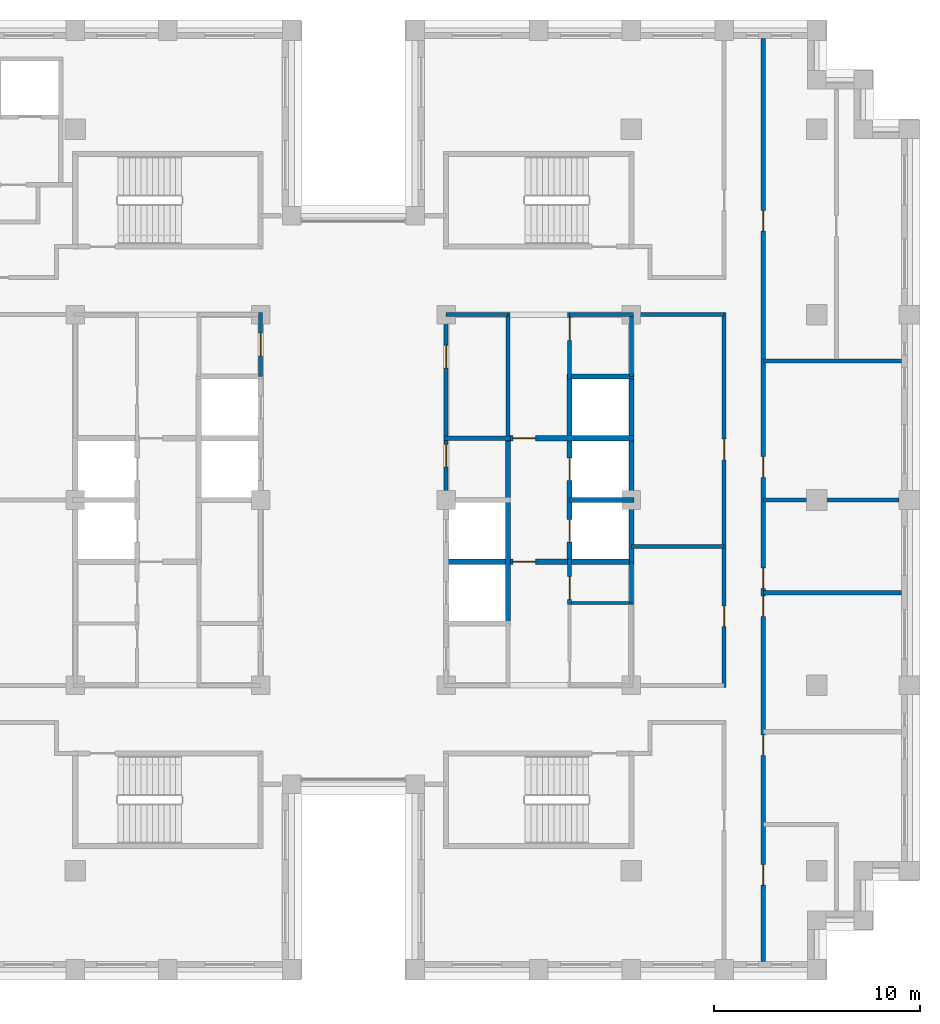
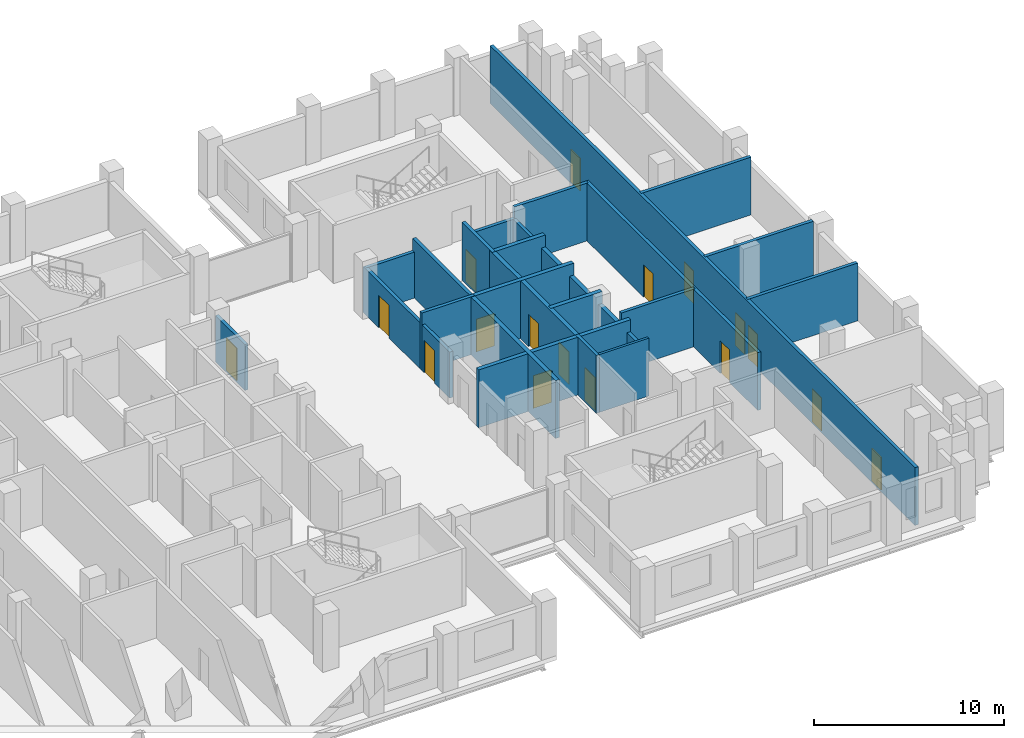
# One storey, part 9 of 15: 25 walls, 17 doors, 17 openings.
"""IFC4 building model written with IfcOpenShell, lengths in metres."""

from ifc_helpers import new_model, si_unit, direction, frame, frame_2d, origin, place, context, subcontext, project, spatial, rectangle, extrude, material, layer, layer_set, type_object, element, fill, save


model = new_model("IFC4")

# Units and contexts
model_context = context("Model", 3, precision=1e-05, world=origin(), true_north=direction((0.0, 1.0)))
body_context = subcontext(model_context, "Body", "Model", "MODEL_VIEW")
ifc_project = project(units=[si_unit("LENGTHUNIT", "METRE"), si_unit("AREAUNIT", "SQUARE_METRE"), si_unit("VOLUMEUNIT", "CUBIC_METRE"), si_unit("PLANEANGLEUNIT", "RADIAN"), si_unit("MASSUNIT", "GRAM", prefix="KILO")], contexts=[model_context])

# Site, building, storey
site_placement = place(None, origin())
site = spatial("IfcSite", under=ifc_project, at=site_placement, CompositionType="ELEMENT")
building_placement = place(site_placement, origin())
building = spatial("IfcBuilding", under=site, at=building_placement, Name="Corbelhall Arena Tower", CompositionType="ELEMENT")
storey_placement = place(building_placement, frame((0.0, 0.0, 204.0)))
storey = spatial("IfcBuildingStorey", under=building, at=storey_placement, Name="L42", CompositionType="ELEMENT", Elevation=204.0)

# Walls
ifc_material_1 = material(Name="Gypsum board on steel stud, acoustic", Category="steel")
ifc_layer_1 = layer(ifc_material_1, 0.199951171875)
ifc_layer_set_1 = layer_set([ifc_layer_1], Name="IN-W-DM200")
wall_type_1 = type_object("IfcWallType", Name="IN-W-DM200", PredefinedType="PARTITIONING", material=ifc_layer_set_1)
for number, where, z_axis, x_axis, name in (
    (1, (13.5, -2.25, 0.0), (0.0, 0.0, 1.0), (1.0, 0.0, 0.0), "Partition 038"),
    (2, (18.0, 9.0, 0.0), (0.0, 0.0, 1.0), (-1.0, 0.0, 0.0), "Partition 041"),
):
    element("IfcWall", number, at=place(storey_placement, frame(where, z_axis=z_axis, x_axis=x_axis)), inside=storey, type_object=wall_type_1, Name=name, PredefinedType="PARTITIONING", context=body_context, shape_type="SweptSolid", body=[
        extrude(rectangle(XDim=4.5, YDim=0.199951171875, at=frame_2d((2.25, 0.0))), origin(), (0.0, 0.0, 1.0), 3.719970703125),
    ])

# Wall, openings, doors
wall_1_placement = place(storey_placement, frame((18.0, -9.10009765625, 0.0), z_axis=(0.0, 0.0, 1.0), x_axis=(0.0, 1.0, 0.0)))
wall_1 = element("IfcWall", 3, at=wall_1_placement, inside=storey, type_object=wall_type_1, Name="Partition 046", PredefinedType="PARTITIONING", context=body_context, shape_type="SweptSolid", body=[
    extrude(rectangle(XDim=18.2001953125, YDim=0.199951171875, at=frame_2d((9.10009765625, 0.0))), origin(), (0.0, 0.0, 1.0), 3.719970703125),
])
opening_1_placement = place(wall_1_placement, frame((2.949951171875, 0.0, 0.0)))
opening_1 = element("IfcOpeningElement", 4, at=opening_1_placement, cuts=wall_1, Name="Opening 12025", PredefinedType="OPENING", context=body_context, shape_type="SweptSolid", body=[
    extrude(rectangle(XDim=1.0, YDim=2.10009765625, at=frame_2d((0.5, 1.050048828125))), frame((0.0, 0.10009765625, 0.0), z_axis=(0.0, -1.0, 0.0), x_axis=(1.0, 0.0, 0.0)), (0.0, 0.0, 1.0), 0.199951171875),
])
opening_2_placement = place(wall_1_placement, frame((11.050048828125, 0.0, 0.0)))
opening_2 = element("IfcOpeningElement", 5, at=opening_2_placement, cuts=wall_1, Name="Opening 12026", PredefinedType="OPENING", context=body_context, shape_type="SweptSolid", body=[
    extrude(rectangle(XDim=1.0, YDim=2.10009765625, at=frame_2d((0.5, 1.050048828125))), frame((0.0, 0.10009765625, 0.0), z_axis=(0.0, -1.0, 0.0), x_axis=(1.0, 0.0, 0.0)), (0.0, 0.0, 1.0), 0.199951171875),
])
ifc_material_2 = material(Name="Steel door set", Category="steel")
door_type_1 = type_object("IfcDoorType", Name="IN-D-SW100", OperationType="NOTDEFINED", PredefinedType="DOOR", material=ifc_material_2)
door_1_placement = place(opening_1_placement, origin())
door_1 = element("IfcDoor", 6, at=door_1_placement, inside=storey, type_object=door_type_1, Name="Door 025", OperationType="SINGLE_SWING_RIGHT", OverallHeight=2.10009765625, OverallWidth=1.0, PredefinedType="DOOR", context=body_context, shape_type="SweptSolid", body=[
    extrude(rectangle(XDim=1.0, YDim=2.10009765625, at=frame_2d((0.5, 1.050048828125))), frame((0.0, 0.02490234375, 0.0), z_axis=(0.0, -1.0, 0.0), x_axis=(1.0, 0.0, 0.0)), (0.0, 0.0, 1.0), 0.050048828125),
])
fill(opening_1, door_1)
door_2_placement = place(opening_2_placement, origin())
door_2 = element("IfcDoor", 7, at=door_2_placement, inside=storey, type_object=door_type_1, Name="Door 026", OperationType="SINGLE_SWING_LEFT", OverallHeight=2.10009765625, OverallWidth=1.0, PredefinedType="DOOR", context=body_context, shape_type="SweptSolid", body=[
    extrude(rectangle(XDim=1.0, YDim=2.10009765625, at=frame_2d((0.5, 1.050048828125))), frame((0.0, 0.02490234375, 0.0), z_axis=(0.0, -1.0, 0.0), x_axis=(1.0, 0.0, 0.0)), (0.0, 0.0, 1.0), 0.050048828125),
])
fill(opening_2, door_2)

wall_2_placement = place(storey_placement, frame((19.89990234375, 22.39990234375, 0.0), z_axis=(0.0, 0.0, 1.0), x_axis=(0.0, -1.0, 0.0)))
wall_2 = element("IfcWall", 8, at=wall_2_placement, inside=storey, type_object=wall_type_1, Name="Partition 049", PredefinedType="PARTITIONING", context=body_context, shape_type="SweptSolid", body=[
    extrude(rectangle(XDim=44.7998046875, YDim=0.199951171875, at=frame_2d((22.39990234375, 0.0))), origin(), (0.0, 0.0, 1.0), 3.719970703125),
])
opening_3_placement = place(wall_2_placement, frame((20.300048828125, 0.0, 0.0)))
opening_3 = element("IfcOpeningElement", 9, at=opening_3_placement, cuts=wall_2, Name="Opening 12036", PredefinedType="OPENING", context=body_context, shape_type="SweptSolid", body=[
    extrude(rectangle(XDim=1.0, YDim=2.10009765625, at=frame_2d((0.5, 1.050048828125))), frame((0.0, 0.10009765625, 0.0), z_axis=(0.0, -1.0, 0.0), x_axis=(1.0, 0.0, 0.0)), (0.0, 0.0, 1.0), 0.199951171875),
])
opening_4_placement = place(wall_2_placement, frame((8.35009765625, 0.0, 0.0)))
opening_4 = element("IfcOpeningElement", 10, at=opening_4_placement, cuts=wall_2, Name="Opening 12037", PredefinedType="OPENING", context=body_context, shape_type="SweptSolid", body=[
    extrude(rectangle(XDim=1.0, YDim=2.10009765625, at=frame_2d((0.5, 1.050048828125))), frame((0.0, 0.10009765625, 0.0), z_axis=(0.0, -1.0, 0.0), x_axis=(1.0, 0.0, 0.0)), (0.0, 0.0, 1.0), 0.199951171875),
])
opening_5_placement = place(wall_2_placement, frame((40.10009765625, 0.0, 0.0)))
opening_5 = element("IfcOpeningElement", 11, at=opening_5_placement, cuts=wall_2, Name="Opening 12039", PredefinedType="OPENING", context=body_context, shape_type="SweptSolid", body=[
    extrude(rectangle(XDim=1.0, YDim=2.10009765625, at=frame_2d((0.5, 1.050048828125))), frame((0.0, 0.10009765625, 0.0), z_axis=(0.0, -1.0, 0.0), x_axis=(1.0, 0.0, 0.0)), (0.0, 0.0, 1.0), 0.199951171875),
])
opening_6_placement = place(wall_2_placement, frame((33.800048828125, 0.0, 0.0)))
opening_6 = element("IfcOpeningElement", 12, at=opening_6_placement, cuts=wall_2, Name="Opening 12040", PredefinedType="OPENING", context=body_context, shape_type="SweptSolid", body=[
    extrude(rectangle(XDim=1.0, YDim=2.10009765625, at=frame_2d((0.5, 1.050048828125))), frame((0.0, 0.10009765625, 0.0), z_axis=(0.0, -1.0, 0.0), x_axis=(1.0, 0.0, 0.0)), (0.0, 0.0, 1.0), 0.199951171875),
])
opening_7_placement = place(wall_2_placement, frame((27.050048828125, 0.0, 0.0)))
opening_7 = element("IfcOpeningElement", 13, at=opening_7_placement, cuts=wall_2, Name="Opening 12041", PredefinedType="OPENING", context=body_context, shape_type="SweptSolid", body=[
    extrude(rectangle(XDim=1.0, YDim=2.10009765625, at=frame_2d((0.5, 1.050048828125))), frame((0.0, 0.10009765625, 0.0), z_axis=(0.0, -1.0, 0.0), x_axis=(1.0, 0.0, 0.0)), (0.0, 0.0, 1.0), 0.199951171875),
])
opening_8_placement = place(wall_2_placement, frame((25.699951171875, 0.0, 0.0)))
opening_8 = element("IfcOpeningElement", 14, at=opening_8_placement, cuts=wall_2, Name="Opening 12042", PredefinedType="OPENING", context=body_context, shape_type="SweptSolid", body=[
    extrude(rectangle(XDim=1.0, YDim=2.10009765625, at=frame_2d((0.5, 1.050048828125))), frame((0.0, 0.10009765625, 0.0), z_axis=(0.0, -1.0, 0.0), x_axis=(1.0, 0.0, 0.0)), (0.0, 0.0, 1.0), 0.199951171875),
])
door_3_placement = place(opening_3_placement, origin())
door_3 = element("IfcDoor", 15, at=door_3_placement, inside=storey, type_object=door_type_1, Name="Door 036", OperationType="SINGLE_SWING_LEFT", OverallHeight=2.10009765625, OverallWidth=1.0, PredefinedType="DOOR", context=body_context, shape_type="SweptSolid", body=[
    extrude(rectangle(XDim=1.0, YDim=2.10009765625, at=frame_2d((0.5, 1.050048828125))), frame((0.0, 0.02490234375, 0.0), z_axis=(0.0, -1.0, 0.0), x_axis=(1.0, 0.0, 0.0)), (0.0, 0.0, 1.0), 0.050048828125),
])
fill(opening_3, door_3)
door_4_placement = place(opening_4_placement, origin())
door_4 = element("IfcDoor", 16, at=door_4_placement, inside=storey, type_object=door_type_1, Name="Door 037", OperationType="SINGLE_SWING_RIGHT", OverallHeight=2.10009765625, OverallWidth=1.0, PredefinedType="DOOR", context=body_context, shape_type="SweptSolid", body=[
    extrude(rectangle(XDim=1.0, YDim=2.10009765625, at=frame_2d((0.5, 1.050048828125))), frame((0.0, 0.02490234375, 0.0), z_axis=(0.0, -1.0, 0.0), x_axis=(1.0, 0.0, 0.0)), (0.0, 0.0, 1.0), 0.050048828125),
])
fill(opening_4, door_4)
door_5_placement = place(opening_5_placement, origin())
door_5 = element("IfcDoor", 17, at=door_5_placement, inside=storey, type_object=door_type_1, Name="Door 039", OperationType="SINGLE_SWING_RIGHT", OverallHeight=2.10009765625, OverallWidth=1.0, PredefinedType="DOOR", context=body_context, shape_type="SweptSolid", body=[
    extrude(rectangle(XDim=1.0, YDim=2.10009765625, at=frame_2d((0.5, 1.050048828125))), frame((0.0, 0.02490234375, 0.0), z_axis=(0.0, -1.0, 0.0), x_axis=(1.0, 0.0, 0.0)), (0.0, 0.0, 1.0), 0.050048828125),
])
fill(opening_5, door_5)
door_6_placement = place(opening_6_placement, origin())
door_6 = element("IfcDoor", 18, at=door_6_placement, inside=storey, type_object=door_type_1, Name="Door 040", OperationType="SINGLE_SWING_LEFT", OverallHeight=2.10009765625, OverallWidth=1.0, PredefinedType="DOOR", context=body_context, shape_type="SweptSolid", body=[
    extrude(rectangle(XDim=1.0, YDim=2.10009765625, at=frame_2d((0.5, 1.050048828125))), frame((0.0, 0.02490234375, 0.0), z_axis=(0.0, -1.0, 0.0), x_axis=(1.0, 0.0, 0.0)), (0.0, 0.0, 1.0), 0.050048828125),
])
fill(opening_6, door_6)
door_7_placement = place(opening_7_placement, origin())
door_7 = element("IfcDoor", 19, at=door_7_placement, inside=storey, type_object=door_type_1, Name="Door 041", OperationType="SINGLE_SWING_RIGHT", OverallHeight=2.10009765625, OverallWidth=1.0, PredefinedType="DOOR", context=body_context, shape_type="SweptSolid", body=[
    extrude(rectangle(XDim=1.0, YDim=2.10009765625, at=frame_2d((0.5, 1.050048828125))), frame((0.0, 0.02490234375, 0.0), z_axis=(0.0, -1.0, 0.0), x_axis=(1.0, 0.0, 0.0)), (0.0, 0.0, 1.0), 0.050048828125),
])
fill(opening_7, door_7)
door_8_placement = place(opening_8_placement, origin())
door_8 = element("IfcDoor", 20, at=door_8_placement, inside=storey, type_object=door_type_1, Name="Door 042", OperationType="SINGLE_SWING_LEFT", OverallHeight=2.10009765625, OverallWidth=1.0, PredefinedType="DOOR", context=body_context, shape_type="SweptSolid", body=[
    extrude(rectangle(XDim=1.0, YDim=2.10009765625, at=frame_2d((0.5, 1.050048828125))), frame((0.0, 0.02490234375, 0.0), z_axis=(0.0, -1.0, 0.0), x_axis=(1.0, 0.0, 0.0)), (0.0, 0.0, 1.0), 0.050048828125),
])
fill(opening_8, door_8)

# Walls
for number, where, z_axis, x_axis, name in (
    (21, (19.89990234375, -4.5, 0.0), (0.0, 0.0, 1.0), (1.0, 0.0, 0.0), "Partition 051"),
    (22, (19.89990234375, 6.75, 0.0), (0.0, 0.0, 1.0), (1.0, 0.0, 0.0), "Partition 052"),
):
    element("IfcWall", number, at=place(storey_placement, frame(where, z_axis=z_axis, x_axis=x_axis)), inside=storey, type_object=wall_type_1, Name=name, PredefinedType="PARTITIONING", context=body_context, shape_type="SweptSolid", body=[
        extrude(rectangle(XDim=6.7001953125, YDim=0.199951171875, at=frame_2d((3.35009765625, 0.0))), origin(), (0.0, 0.0, 1.0), 3.719970703125),
    ])
wall_3_placement = place(storey_placement, frame((26.5, 0.0, 0.0), z_axis=(0.0, 0.0, 1.0), x_axis=(-1.0, 0.0, 0.0)))
element("IfcWall", 23, at=wall_3_placement, inside=storey, type_object=wall_type_1, Name="Partition 054", PredefinedType="PARTITIONING", context=body_context, shape_type="SweptSolid", body=[
    extrude(rectangle(XDim=6.60009765625, YDim=0.199951171875, at=frame_2d((3.300048828125, 0.0))), origin(), (0.0, 0.0, 1.0), 3.719970703125),
])
ifc_material_3 = material(Name="Concrete block wall", Category="concrete")
ifc_layer_2 = layer(ifc_material_3, 0.199951171875)
ifc_layer_set_2 = layer_set([ifc_layer_2], Name="IN-W-RS200")
wall_type_2 = type_object("IfcWallType", Name="IN-W-RS200", PredefinedType="SOLIDWALL", material=ifc_layer_set_2)
wall_4_placement = place(storey_placement, frame((4.39990234375, 3.0, 0.0), z_axis=(0.0, 0.0, 1.0), x_axis=(1.0, 0.0, 0.0)))
element("IfcWall", 24, at=wall_4_placement, inside=storey, type_object=wall_type_2, Name="Partition 065", PredefinedType="SOLIDWALL", context=body_context, shape_type="SweptSolid", body=[
    extrude(rectangle(XDim=3.22509765625, YDim=0.199951171875, at=frame_2d((1.612548828125, 0.0))), origin(), (0.0, 0.0, 1.0), 3.719970703125),
])
wall_5_placement = place(storey_placement, frame((7.5, 9.10009765625, 0.0), z_axis=(0.0, 0.0, 1.0), x_axis=(0.0, -1.0, 0.0)))
element("IfcWall", 25, at=wall_5_placement, inside=storey, type_object=wall_type_2, Name="Partition 071", PredefinedType="SOLIDWALL", context=body_context, shape_type="SweptSolid", body=[
    extrude(rectangle(XDim=6.22509765625, YDim=0.199951171875, at=frame_2d((3.112548828125, 0.0))), origin(), (0.0, 0.0, 1.0), 3.719970703125),
])

# Wall, opening, door
wall_6_placement = place(storey_placement, frame((10.5, -2.875, 0.0), z_axis=(0.0, 0.0, 1.0), x_axis=(0.0, -1.0, 0.0)))
wall_6 = element("IfcWall", 26, at=wall_6_placement, inside=storey, type_object=wall_type_2, Name="Partition 072", PredefinedType="SOLIDWALL", context=body_context, shape_type="SweptSolid", body=[
    extrude(rectangle(XDim=2.199951171875, YDim=0.199951171875, at=frame_2d((1.10009765625, 0.0))), origin(), (0.0, 0.0, 1.0), 3.719970703125),
])
opening_9_placement = place(wall_6_placement, frame((0.85009765625, 0.0, 0.0)))
opening_9 = element("IfcOpeningElement", 27, at=opening_9_placement, cuts=wall_6, Name="Opening 12015", PredefinedType="OPENING", context=body_context, shape_type="SweptSolid", body=[
    extrude(rectangle(XDim=1.10009765625, YDim=2.10009765625, at=frame_2d((0.550048828125, 1.050048828125))), frame((0.0, 0.10009765625, 0.0), z_axis=(0.0, -1.0, 0.0), x_axis=(1.0, 0.0, 0.0)), (0.0, 0.0, 1.0), 0.199951171875),
])
door_type_2 = type_object("IfcDoorType", Name="IN-D-FD110", OperationType="NOTDEFINED", PredefinedType="DOOR", material=ifc_material_2)
door_9_placement = place(opening_9_placement, origin())
door_9 = element("IfcDoor", 28, at=door_9_placement, inside=storey, type_object=door_type_2, Name="Door 015", OperationType="SINGLE_SWING_RIGHT", OverallHeight=2.10009765625, OverallWidth=1.10009765625, PredefinedType="DOOR", context=body_context, shape_type="SweptSolid", body=[
    extrude(rectangle(XDim=1.10009765625, YDim=2.10009765625, at=frame_2d((0.550048828125, 1.050048828125))), frame((0.0, 0.02490234375, 0.0), z_axis=(0.0, -1.0, 0.0), x_axis=(1.0, 0.0, 0.0)), (0.0, 0.0, 1.0), 0.050048828125),
])
fill(opening_9, door_9)

wall_7_placement = place(storey_placement, frame((10.5, 9.10009765625, 0.0), z_axis=(0.0, 0.0, 1.0), x_axis=(0.0, -1.0, 0.0)))
wall_7 = element("IfcWall", 29, at=wall_7_placement, inside=storey, type_object=wall_type_2, Name="Partition 074", PredefinedType="SOLIDWALL", context=body_context, shape_type="SweptSolid", body=[
    extrude(rectangle(XDim=3.22509765625, YDim=0.199951171875, at=frame_2d((1.612548828125, 0.0))), origin(), (0.0, 0.0, 1.0), 3.719970703125),
])
opening_10_placement = place(wall_7_placement, frame((0.25, 0.0, 0.0)))
opening_10 = element("IfcOpeningElement", 30, at=opening_10_placement, cuts=wall_7, Name="Opening 12016", PredefinedType="OPENING", context=body_context, shape_type="SweptSolid", body=[
    extrude(rectangle(XDim=1.10009765625, YDim=2.10009765625, at=frame_2d((0.550048828125, 1.050048828125))), frame((0.0, 0.10009765625, 0.0), z_axis=(0.0, -1.0, 0.0), x_axis=(1.0, 0.0, 0.0)), (0.0, 0.0, 1.0), 0.199951171875),
])
door_10_placement = place(opening_10_placement, origin())
door_10 = element("IfcDoor", 31, at=door_10_placement, inside=storey, type_object=door_type_2, Name="Door 016", OperationType="SINGLE_SWING_LEFT", OverallHeight=2.10009765625, OverallWidth=1.10009765625, PredefinedType="DOOR", context=body_context, shape_type="SweptSolid", body=[
    extrude(rectangle(XDim=1.10009765625, YDim=2.10009765625, at=frame_2d((0.550048828125, 1.050048828125))), frame((0.0, 0.02490234375, 0.0), z_axis=(0.0, -1.0, 0.0), x_axis=(1.0, 0.0, 0.0)), (0.0, 0.0, 1.0), 0.050048828125),
])
fill(opening_10, door_10)

ifc_layer_3 = layer(ifc_material_3, 0.199951171875)
ifc_layer_set_3 = layer_set([ifc_layer_3], Name="IN-W-RS200 under beam 762 mm")
wall_type_3 = type_object("IfcWallType", Name="IN-W-RS200 under beam 762 mm", PredefinedType="SOLIDWALL", material=ifc_layer_set_3)
wall_8_placement = place(storey_placement, frame((-4.5, 9.10009765625, 0.0), z_axis=(0.0, 0.0, 1.0), x_axis=(0.0, -1.0, 0.0)))
wall_8 = element("IfcWall", 32, at=wall_8_placement, inside=storey, type_object=wall_type_3, Name="Partition 064", PredefinedType="SOLIDWALL", context=body_context, shape_type="SweptSolid", body=[
    extrude(rectangle(XDim=3.10009765625, YDim=0.199951171875, at=frame_2d((1.550048828125, 0.0))), origin(), (0.0, 0.0, 1.0), 2.9580078125),
])
opening_11_placement = place(wall_8_placement, frame((1.0, 0.0, 0.0)))
opening_11 = element("IfcOpeningElement", 33, at=opening_11_placement, cuts=wall_8, Name="Opening 12003", PredefinedType="OPENING", context=body_context, shape_type="SweptSolid", body=[
    extrude(rectangle(XDim=1.10009765625, YDim=2.10009765625, at=frame_2d((0.550048828125, 1.050048828125))), frame((0.0, 0.10009765625, 0.0), z_axis=(0.0, -1.0, 0.0), x_axis=(1.0, 0.0, 0.0)), (0.0, 0.0, 1.0), 0.199951171875),
])
door_11_placement = place(opening_11_placement, origin())
door_11 = element("IfcDoor", 34, at=door_11_placement, inside=storey, type_object=door_type_2, Name="Door 003", OperationType="SINGLE_SWING_RIGHT", OverallHeight=2.10009765625, OverallWidth=1.10009765625, PredefinedType="DOOR", context=body_context, shape_type="SweptSolid", body=[
    extrude(rectangle(XDim=1.10009765625, YDim=2.10009765625, at=frame_2d((0.550048828125, 1.050048828125))), frame((0.0, 0.02490234375, 0.0), z_axis=(0.0, -1.0, 0.0), x_axis=(1.0, 0.0, 0.0)), (0.0, 0.0, 1.0), 0.050048828125),
])
fill(opening_11, door_11)

# Wall, openings, doors
wall_9_placement = place(storey_placement, frame((4.5, 0.0, 0.0), z_axis=(0.0, 0.0, 1.0), x_axis=(0.0, 1.0, 0.0)))
wall_9 = element("IfcWall", 35, at=wall_9_placement, inside=storey, type_object=wall_type_3, Name="Partition 067", PredefinedType="SOLIDWALL", context=body_context, shape_type="SweptSolid", body=[
    extrude(rectangle(XDim=9.10009765625, YDim=0.199951171875, at=frame_2d((4.550048828125, 0.0))), origin(), (0.0, 0.0, 1.0), 2.9580078125),
])
opening_12_placement = place(wall_9_placement, frame((1.60009765625, 0.0, 0.0)))
opening_12 = element("IfcOpeningElement", 36, at=opening_12_placement, cuts=wall_9, Name="Opening 12010", PredefinedType="OPENING", context=body_context, shape_type="SweptSolid", body=[
    extrude(rectangle(XDim=1.10009765625, YDim=2.10009765625, at=frame_2d((0.550048828125, 1.050048828125))), frame((0.0, 0.10009765625, 0.0), z_axis=(0.0, -1.0, 0.0), x_axis=(1.0, 0.0, 0.0)), (0.0, 0.0, 1.0), 0.199951171875),
])
opening_13_placement = place(wall_9_placement, frame((6.39990234375, 0.0, 0.0)))
opening_13 = element("IfcOpeningElement", 37, at=opening_13_placement, cuts=wall_9, Name="Opening 12011", PredefinedType="OPENING", context=body_context, shape_type="SweptSolid", body=[
    extrude(rectangle(XDim=1.10009765625, YDim=2.10009765625, at=frame_2d((0.550048828125, 1.050048828125))), frame((0.0, 0.10009765625, 0.0), z_axis=(0.0, -1.0, 0.0), x_axis=(1.0, 0.0, 0.0)), (0.0, 0.0, 1.0), 0.199951171875),
])
door_12_placement = place(opening_12_placement, origin())
door_12 = element("IfcDoor", 38, at=door_12_placement, inside=storey, type_object=door_type_2, Name="Door 010", OperationType="SINGLE_SWING_LEFT", OverallHeight=2.10009765625, OverallWidth=1.10009765625, PredefinedType="DOOR", context=body_context, shape_type="SweptSolid", body=[
    extrude(rectangle(XDim=1.10009765625, YDim=2.10009765625, at=frame_2d((0.550048828125, 1.050048828125))), frame((0.0, 0.02490234375, 0.0), z_axis=(0.0, -1.0, 0.0), x_axis=(1.0, 0.0, 0.0)), (0.0, 0.0, 1.0), 0.050048828125),
])
fill(opening_12, door_12)
door_13_placement = place(opening_13_placement, origin())
door_13 = element("IfcDoor", 39, at=door_13_placement, inside=storey, type_object=door_type_2, Name="Door 011", OperationType="SINGLE_SWING_RIGHT", OverallHeight=2.10009765625, OverallWidth=1.10009765625, PredefinedType="DOOR", context=body_context, shape_type="SweptSolid", body=[
    extrude(rectangle(XDim=1.10009765625, YDim=2.10009765625, at=frame_2d((0.550048828125, 1.050048828125))), frame((0.0, 0.02490234375, 0.0), z_axis=(0.0, -1.0, 0.0), x_axis=(1.0, 0.0, 0.0)), (0.0, 0.0, 1.0), 0.050048828125),
])
fill(opening_13, door_13)

# Walls
wall_10_placement = place(storey_placement, frame((4.5, 9.0, 0.0), z_axis=(0.0, 0.0, 1.0), x_axis=(1.0, 0.0, 0.0)))
element("IfcWall", 40, at=wall_10_placement, inside=storey, type_object=wall_type_3, Name="Partition 068", PredefinedType="SOLIDWALL", context=body_context, shape_type="SweptSolid", body=[
    extrude(rectangle(XDim=3.0, YDim=0.199951171875, at=frame_2d((1.5, 0.0))), origin(), (0.0, 0.0, 1.0), 2.9580078125),
])
wall_11_placement = place(storey_placement, frame((10.5, 9.0, 0.0), z_axis=(0.0, 0.0, 1.0), x_axis=(1.0, 0.0, 0.0)))
element("IfcWall", 41, at=wall_11_placement, inside=storey, type_object=wall_type_3, Name="Partition 073", PredefinedType="SOLIDWALL", context=body_context, shape_type="SweptSolid", body=[
    extrude(rectangle(XDim=3.10009765625, YDim=0.199951171875, at=frame_2d((1.550048828125, 0.0))), origin(), (0.0, 0.0, 1.0), 2.9580078125),
])
wall_12_placement = place(storey_placement, frame((13.5, -3.0, 0.0), z_axis=(0.0, 0.0, 1.0), x_axis=(0.0, -1.0, 0.0)))
element("IfcWall", 42, at=wall_12_placement, inside=storey, type_object=wall_type_3, Name="Partition 075", PredefinedType="SOLIDWALL", context=body_context, shape_type="SweptSolid", body=[
    extrude(rectangle(XDim=2.0, YDim=0.199951171875, at=frame_2d((1.0, 0.0))), origin(), (0.0, 0.0, 1.0), 2.9580078125),
])
wall_13_placement = place(storey_placement, frame((13.5, 9.10009765625, 0.0), z_axis=(0.0, 0.0, 1.0), x_axis=(0.0, -1.0, 0.0)))
element("IfcWall", 43, at=wall_13_placement, inside=storey, type_object=wall_type_3, Name="Partition 076", PredefinedType="SOLIDWALL", context=body_context, shape_type="SweptSolid", body=[
    extrude(rectangle(XDim=3.10009765625, YDim=0.199951171875, at=frame_2d((1.550048828125, 0.0))), origin(), (0.0, 0.0, 1.0), 2.9580078125),
])

# Wall, opening, door
ifc_material_4 = material(Name="Concrete C40/50", Category="concrete")
ifc_layer_4 = layer(ifc_material_4, 0.25)
ifc_layer_set_4 = layer_set([ifc_layer_4], Name="IN-W-SH250")
wall_type_4 = type_object("IfcWallType", Name="IN-W-SH250", PredefinedType="SOLIDWALL", material=ifc_layer_set_4)
wall_14_placement = place(storey_placement, frame((4.375, -3.0, 0.0), z_axis=(0.0, 0.0, 1.0), x_axis=(1.0, 0.0, 0.0)))
wall_14 = element("IfcWall", 44, at=wall_14_placement, inside=storey, type_object=wall_type_4, Name="Shaft wall 087", PredefinedType="SOLIDWALL", context=body_context, shape_type="SweptSolid", body=[
    extrude(rectangle(XDim=9.25, YDim=0.25, at=frame_2d((4.625, 0.0))), origin(), (0.0, 0.0, 1.0), 3.719970703125),
])
opening_14_placement = place(wall_14_placement, frame((3.375, 0.0, 0.0)))
opening_14 = element("IfcOpeningElement", 45, at=opening_14_placement, cuts=wall_14, Name="Opening 12012", PredefinedType="OPENING", context=body_context, shape_type="SweptSolid", body=[
    extrude(rectangle(XDim=1.10009765625, YDim=2.10009765625, at=frame_2d((0.550048828125, 1.050048828125))), frame((0.0, 0.125, 0.0), z_axis=(0.0, -1.0, 0.0), x_axis=(1.0, 0.0, 0.0)), (0.0, 0.0, 1.0), 0.25),
])
door_14_placement = place(opening_14_placement, origin())
door_14 = element("IfcDoor", 46, at=door_14_placement, inside=storey, type_object=door_type_2, Name="Door 012", OperationType="SINGLE_SWING_LEFT", OverallHeight=2.10009765625, OverallWidth=1.10009765625, PredefinedType="DOOR", context=body_context, shape_type="SweptSolid", body=[
    extrude(rectangle(XDim=1.10009765625, YDim=2.10009765625, at=frame_2d((0.550048828125, 1.050048828125))), frame((0.0, 0.02490234375, 0.0), z_axis=(0.0, -1.0, 0.0), x_axis=(1.0, 0.0, 0.0)), (0.0, 0.0, 1.0), 0.050048828125),
])
fill(opening_14, door_14)

# Wall
wall_15_placement = place(storey_placement, frame((7.5, 3.125, 0.0), z_axis=(0.0, 0.0, 1.0), x_axis=(0.0, -1.0, 0.0)))
element("IfcWall", 47, at=wall_15_placement, inside=storey, type_object=wall_type_4, Name="Shaft wall 090", PredefinedType="SOLIDWALL", context=body_context, shape_type="SweptSolid", body=[
    extrude(rectangle(XDim=9.125, YDim=0.25, at=frame_2d((4.5625, 0.0))), origin(), (0.0, 0.0, 1.0), 3.719970703125),
])

# Wall, opening, door
wall_16_placement = place(storey_placement, frame((7.5, 3.0, 0.0), z_axis=(0.0, 0.0, 1.0), x_axis=(1.0, 0.0, 0.0)))
wall_16 = element("IfcWall", 48, at=wall_16_placement, inside=storey, type_object=wall_type_4, Name="Shaft wall 091", PredefinedType="SOLIDWALL", context=body_context, shape_type="SweptSolid", body=[
    extrude(rectangle(XDim=6.125, YDim=0.25, at=frame_2d((3.0625, 0.0))), origin(), (0.0, 0.0, 1.0), 3.719970703125),
])
opening_15_placement = place(wall_16_placement, frame((0.25, 0.0, 0.0)))
opening_15 = element("IfcOpeningElement", 49, at=opening_15_placement, cuts=wall_16, Name="Opening 12013", PredefinedType="OPENING", context=body_context, shape_type="SweptSolid", body=[
    extrude(rectangle(XDim=1.10009765625, YDim=2.10009765625, at=frame_2d((0.550048828125, 1.050048828125))), frame((0.0, 0.125, 0.0), z_axis=(0.0, -1.0, 0.0), x_axis=(1.0, 0.0, 0.0)), (0.0, 0.0, 1.0), 0.25),
])
door_15_placement = place(opening_15_placement, origin())
door_15 = element("IfcDoor", 50, at=door_15_placement, inside=storey, type_object=door_type_2, Name="Door 013", OperationType="SINGLE_SWING_RIGHT", OverallHeight=2.10009765625, OverallWidth=1.10009765625, PredefinedType="DOOR", context=body_context, shape_type="SweptSolid", body=[
    extrude(rectangle(XDim=1.10009765625, YDim=2.10009765625, at=frame_2d((0.550048828125, 1.050048828125))), frame((0.0, 0.02490234375, 0.0), z_axis=(0.0, -1.0, 0.0), x_axis=(1.0, 0.0, 0.0)), (0.0, 0.0, 1.0), 0.050048828125),
])
fill(opening_15, door_15)

# Wall
wall_17_placement = place(storey_placement, frame((10.5, 0.0, 0.0), z_axis=(0.0, 0.0, 1.0), x_axis=(1.0, 0.0, 0.0)))
element("IfcWall", 51, at=wall_17_placement, inside=storey, type_object=wall_type_4, Name="Shaft wall 092", PredefinedType="SOLIDWALL", context=body_context, shape_type="SweptSolid", body=[
    extrude(rectangle(XDim=3.125, YDim=0.25, at=frame_2d((1.5625, 0.0))), origin(), (0.0, 0.0, 1.0), 3.719970703125),
])

# Wall, openings, doors
wall_18_placement = place(storey_placement, frame((10.5, 6.125, 0.0), z_axis=(0.0, 0.0, 1.0), x_axis=(0.0, -1.0, 0.0)))
wall_18 = element("IfcWall", 52, at=wall_18_placement, inside=storey, type_object=wall_type_4, Name="Shaft wall 093", PredefinedType="SOLIDWALL", context=body_context, shape_type="SweptSolid", body=[
    extrude(rectangle(XDim=9.25, YDim=0.25, at=frame_2d((4.625, 0.0))), origin(), (0.0, 0.0, 1.0), 3.719970703125),
])
opening_16_placement = place(wall_18_placement, frame((7.074951171875, 0.0, 0.0)))
opening_16 = element("IfcOpeningElement", 53, at=opening_16_placement, cuts=wall_18, Name="Opening LD", PredefinedType="OPENING", context=body_context, shape_type="SweptSolid", body=[
    extrude(rectangle(XDim=1.10009765625, YDim=2.10009765625, at=frame_2d((0.550048828125, 1.050048828125))), frame((0.0, 0.125, 0.0), z_axis=(0.0, -1.0, 0.0), x_axis=(1.0, 0.0, 0.0)), (0.0, 0.0, 1.0), 0.25),
])
opening_17_placement = place(wall_18_placement, frame((4.074951171875, 0.0, 0.0)))
opening_17 = element("IfcOpeningElement", 54, at=opening_17_placement, cuts=wall_18, Name="Opening LD", PredefinedType="OPENING", context=body_context, shape_type="SweptSolid", body=[
    extrude(rectangle(XDim=1.10009765625, YDim=2.10009765625, at=frame_2d((0.550048828125, 1.050048828125))), frame((0.0, 0.125, 0.0), z_axis=(0.0, -1.0, 0.0), x_axis=(1.0, 0.0, 0.0)), (0.0, 0.0, 1.0), 0.25),
])
door_type_3 = type_object("IfcDoorType", Name="IN-D-LD110", OperationType="NOTDEFINED", PredefinedType="DOOR", material=ifc_material_2)
door_16_placement = place(opening_16_placement, origin())
door_16 = element("IfcDoor", 55, at=door_16_placement, inside=storey, type_object=door_type_3, Name="Landing door E3", OperationType="SLIDING_TO_LEFT", OverallHeight=2.10009765625, OverallWidth=1.10009765625, PredefinedType="DOOR", context=body_context, shape_type="SweptSolid", body=[
    extrude(rectangle(XDim=1.10009765625, YDim=2.10009765625, at=frame_2d((0.550048828125, 1.050048828125))), frame((0.0, 0.02490234375, 0.0), z_axis=(0.0, -1.0, 0.0), x_axis=(1.0, 0.0, 0.0)), (0.0, 0.0, 1.0), 0.050048828125),
])
fill(opening_16, door_16)
door_17_placement = place(opening_17_placement, origin())
door_17 = element("IfcDoor", 56, at=door_17_placement, inside=storey, type_object=door_type_3, Name="Landing door E4", OperationType="SLIDING_TO_LEFT", OverallHeight=2.10009765625, OverallWidth=1.10009765625, PredefinedType="DOOR", context=body_context, shape_type="SweptSolid", body=[
    extrude(rectangle(XDim=1.10009765625, YDim=2.10009765625, at=frame_2d((0.550048828125, 1.050048828125))), frame((0.0, 0.02490234375, 0.0), z_axis=(0.0, -1.0, 0.0), x_axis=(1.0, 0.0, 0.0)), (0.0, 0.0, 1.0), 0.050048828125),
])
fill(opening_17, door_17)

# Walls
wall_19_placement = place(storey_placement, frame((10.5, 6.0, 0.0), z_axis=(0.0, 0.0, 1.0), x_axis=(1.0, 0.0, 0.0)))
element("IfcWall", 57, at=wall_19_placement, inside=storey, type_object=wall_type_4, Name="Shaft wall 094", PredefinedType="SOLIDWALL", context=body_context, shape_type="SweptSolid", body=[
    extrude(rectangle(XDim=3.125, YDim=0.25, at=frame_2d((1.5625, 0.0))), origin(), (0.0, 0.0, 1.0), 3.719970703125),
])
ifc_layer_5 = layer(ifc_material_4, 0.25)
ifc_layer_set_5 = layer_set([ifc_layer_5], Name="IN-W-SH250 under beam 762 mm")
wall_type_5 = type_object("IfcWallType", Name="IN-W-SH250 under beam 762 mm", PredefinedType="SOLIDWALL", material=ifc_layer_set_5)
wall_20_placement = place(storey_placement, frame((13.5, 6.0, 0.0), z_axis=(0.0, 0.0, 1.0), x_axis=(0.0, -1.0, 0.0)))
element("IfcWall", 58, at=wall_20_placement, inside=storey, type_object=wall_type_5, Name="Shaft wall 095", PredefinedType="SOLIDWALL", context=body_context, shape_type="SweptSolid", body=[
    extrude(rectangle(XDim=9.0, YDim=0.25, at=frame_2d((4.5, 0.0))), origin(), (0.0, 0.0, 1.0), 2.9580078125),
])
ifc_material_5 = material(Name="Gypsum board on steel stud, moisture resistant", Category="steel")
ifc_layer_6 = layer(ifc_material_5, 0.14990234375)
ifc_layer_set_6 = layer_set([ifc_layer_6], Name="IN-W-WC150")
wall_type_6 = type_object("IfcWallType", Name="IN-W-WC150", PredefinedType="PARTITIONING", material=ifc_layer_set_6)
wall_21_placement = place(storey_placement, frame((10.5, -5.0, 0.0), z_axis=(0.0, 0.0, 1.0), x_axis=(1.0, 0.0, 0.0)))
element("IfcWall", 59, at=wall_21_placement, inside=storey, type_object=wall_type_6, Name="Partition 125", PredefinedType="PARTITIONING", context=body_context, shape_type="SweptSolid", body=[
    extrude(rectangle(XDim=3.10009765625, YDim=0.14990234375, at=frame_2d((1.550048828125, 0.0))), origin(), (0.0, 0.0, 1.0), 3.719970703125),
])

save(model, "model.ifc")
